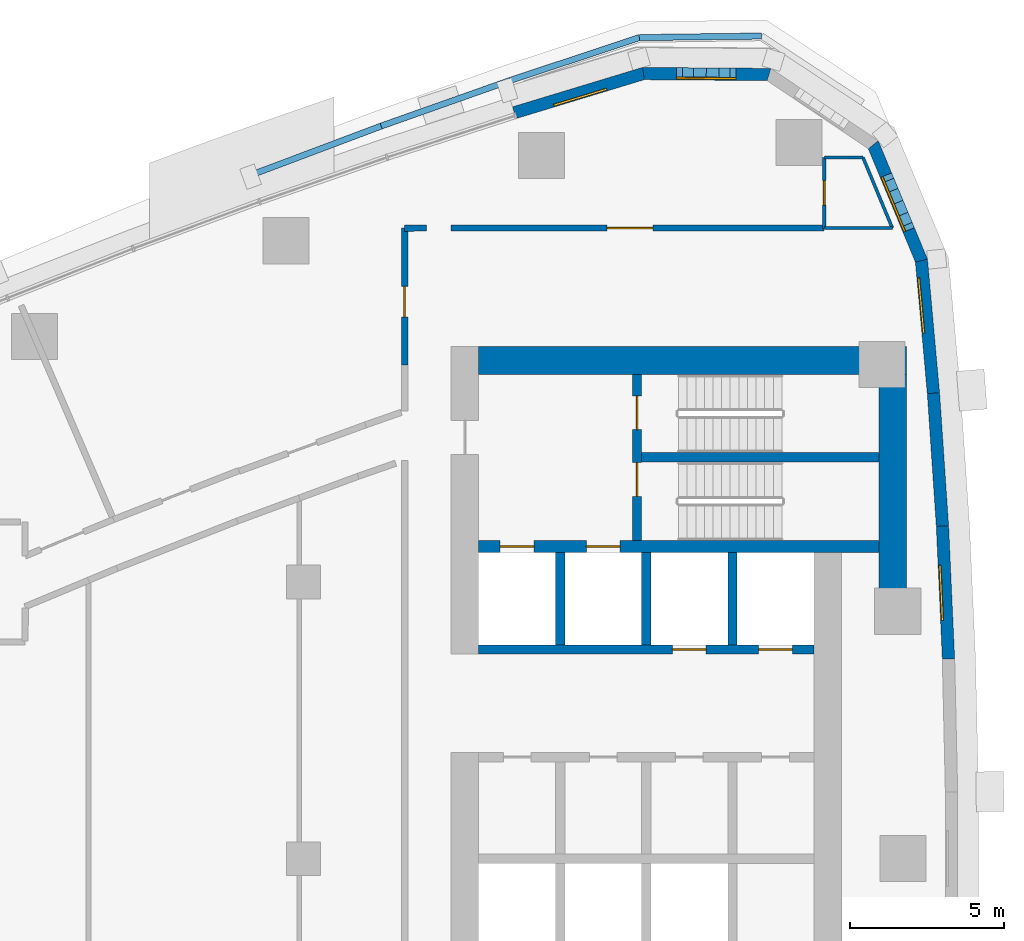
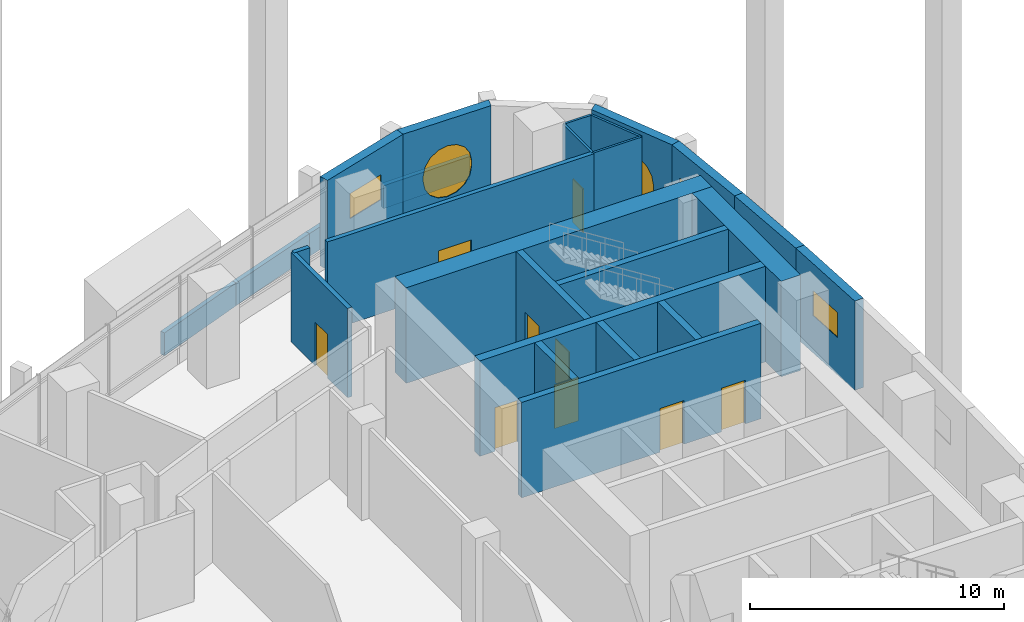
# One storey, part 11 of 17: 26 walls, 9 doors, 5 windows, 14 openings.
"""IFC4 building model written with IfcOpenShell, lengths in metres."""

from ifc_helpers import new_model, si_unit, direction, frame, frame_2d, origin, place, context, subcontext, project, spatial, polyline, rectangle, outline, extrude, material, layer, layer_set, type_object, element, fill, save


model = new_model("IFC4")

# Units and contexts
model_context = context("Model", 3, precision=1e-05, world=origin(), true_north=direction((0.0, 1.0)))
body_context = subcontext(model_context, "Body", "Model", "MODEL_VIEW")
ifc_project = project(units=[si_unit("LENGTHUNIT", "METRE"), si_unit("AREAUNIT", "SQUARE_METRE"), si_unit("VOLUMEUNIT", "CUBIC_METRE"), si_unit("PLANEANGLEUNIT", "RADIAN"), si_unit("MASSUNIT", "GRAM", prefix="KILO")], contexts=[model_context])

# Site, building, storey
site_placement = place(None, origin())
site = spatial("IfcSite", under=ifc_project, at=site_placement, CompositionType="ELEMENT")
building_placement = place(site_placement, origin())
building = spatial("IfcBuilding", under=site, at=building_placement, Name="Ostrand Prow Hotel Tower", CompositionType="ELEMENT")
storey_placement = place(building_placement, frame((0.0, 0.0, 125.60009765625)))
storey = spatial("IfcBuildingStorey", under=building, at=storey_placement, Name="L30", CompositionType="ELEMENT", Elevation=125.60009765625)

# Wall, openings, doors
ifc_material_1 = material(Name="Concrete C70/85", Category="concrete")
ifc_layer_1 = layer(ifc_material_1, 0.300048828125)
ifc_layer_set_1 = layer_set([ifc_layer_1], Name="Concrete C70/85")
wall_type_1 = type_object("IfcWallType", Name="Core wall 300 C70/85", PredefinedType="SHEAR", material=ifc_layer_set_1)
wall_1_placement = place(storey_placement, frame((50.699951171875, 6.800048828125, 0.0), z_axis=(0.0, 0.0, 1.0), x_axis=(1.0, 0.0, 0.0)))
wall_1 = element("IfcWall", 1, at=wall_1_placement, inside=storey, type_object=wall_type_1, Name="Core wall PW-L2-N", PredefinedType="SHEAR", context=body_context, shape_type="SweptSolid", body=[
    extrude(rectangle(XDim=10.900146484375, YDim=0.300048828125, at=frame_2d((5.4501953125, 0.0))), origin(), (0.0, 0.0, 1.0), 4.599853515625),
])
opening_1_placement = place(wall_1_placement, frame((6.300048828125, 0.0, 0.0)))
opening_1 = element("IfcOpeningElement", 2, at=opening_1_placement, cuts=wall_1, Name="Opening LD", PredefinedType="OPENING", context=body_context, shape_type="SweptSolid", body=[
    extrude(rectangle(XDim=1.10009765625, YDim=2.10009765625, at=frame_2d((0.550048828125, 1.050048828125))), frame((0.0, 0.159912109375, 0.0), z_axis=(0.0, -1.0, 0.0), x_axis=(1.0, 0.0, 0.0)), (0.0, 0.0, 1.0), 0.320068359375),
])
opening_2_placement = place(wall_1_placement, frame((9.10009765625, 0.0, 0.0)))
opening_2 = element("IfcOpeningElement", 3, at=opening_2_placement, cuts=wall_1, Name="Opening LD", PredefinedType="OPENING", context=body_context, shape_type="SweptSolid", body=[
    extrude(rectangle(XDim=1.10009765625, YDim=2.10009765625, at=frame_2d((0.550048828125, 1.050048828125))), frame((0.0, 0.159912109375, 0.0), z_axis=(0.0, -1.0, 0.0), x_axis=(1.0, 0.0, 0.0)), (0.0, 0.0, 1.0), 0.320068359375),
])
ifc_material_2 = material(Name="Stainless steel door", Category="steel")
door_type_1 = type_object("IfcDoorType", Name="Lift landing door 1100", OperationType="DOUBLE_DOOR_SLIDING", PredefinedType="DOOR", material=ifc_material_2)
door_1_placement = place(opening_1_placement, origin())
door_1 = element("IfcDoor", 4, at=door_1_placement, inside=storey, type_object=door_type_1, Name="LIFT LANDING DOOR", OperationType="DOUBLE_DOOR_SLIDING", OverallHeight=2.10009765625, OverallWidth=1.10009765625, PredefinedType="DOOR", context=body_context, shape_type="SweptSolid", body=[
    extrude(rectangle(XDim=1.10009765625, YDim=2.10009765625, at=frame_2d((0.550048828125, 1.050048828125))), frame((0.0, 0.02490234375, 0.0), z_axis=(0.0, -1.0, 0.0), x_axis=(1.0, 0.0, 0.0)), (0.0, 0.0, 1.0), 0.050048828125),
])
fill(opening_1, door_1)
door_2_placement = place(opening_2_placement, origin())
door_2 = element("IfcDoor", 5, at=door_2_placement, inside=storey, type_object=door_type_1, Name="LIFT LANDING DOOR", OperationType="DOUBLE_DOOR_SLIDING", OverallHeight=2.10009765625, OverallWidth=1.10009765625, PredefinedType="DOOR", context=body_context, shape_type="SweptSolid", body=[
    extrude(rectangle(XDim=1.10009765625, YDim=2.10009765625, at=frame_2d((0.550048828125, 1.050048828125))), frame((0.0, 0.02490234375, 0.0), z_axis=(0.0, -1.0, 0.0), x_axis=(1.0, 0.0, 0.0)), (0.0, 0.0, 1.0), 0.050048828125),
])
fill(opening_2, door_2)

# Walls
for number, where, z_axis, x_axis, name in (
    (6, (53.35009765625, 6.949951171875, 0.0), (0.0, 0.0, 1.0), (0.0, 1.0, 0.0), "Core wall PW-R1-NA"),
    (7, (56.14990234375, 6.949951171875, 0.0), (0.0, 0.0, 1.0), (0.0, 1.0, 0.0), "Core wall PW-R2-NA"),
    (8, (58.949951171875, 6.949951171875, 0.0), (0.0, 0.0, 1.0), (0.0, 1.0, 0.0), "Core wall PW-R3-NA"),
):
    element("IfcWall", number, at=place(storey_placement, frame(where, z_axis=z_axis, x_axis=x_axis)), inside=storey, type_object=wall_type_1, Name=name, PredefinedType="SHEAR", context=body_context, shape_type="SweptSolid", body=[
        extrude(rectangle(XDim=3.0, YDim=0.300048828125, at=frame_2d((1.5, 0.0))), origin(), (0.0, 0.0, 1.0), 4.599853515625),
    ])

# Wall, openings, doors
wall_2_placement = place(storey_placement, frame((55.85009765625, 10.35009765625, 0.0), z_axis=(0.0, 0.0, 1.0), x_axis=(0.0, 1.0, 0.0)))
wall_2 = element("IfcWall", 9, at=wall_2_placement, inside=storey, type_object=wall_type_1, Name="Core wall PW-VN", PredefinedType="SHEAR", context=body_context, shape_type="SweptSolid", body=[
    extrude(rectangle(XDim=5.39990234375, YDim=0.300048828125, at=frame_2d((2.699951171875, 0.0))), origin(), (0.0, 0.0, 1.0), 4.599853515625),
])
opening_3_placement = place(wall_2_placement, frame((1.429931640625, 0.0, 0.0)))
opening_3 = element("IfcOpeningElement", 10, at=opening_3_placement, cuts=wall_2, Name="Opening FD1", PredefinedType="OPENING", context=body_context, shape_type="SweptSolid", body=[
    extrude(rectangle(XDim=1.10009765625, YDim=2.10009765625, at=frame_2d((0.550048828125, 1.050048828125))), frame((0.0, 0.159912109375, 0.0), z_axis=(0.0, -1.0, 0.0), x_axis=(1.0, 0.0, 0.0)), (0.0, 0.0, 1.0), 0.320068359375),
])
opening_4_placement = place(wall_2_placement, frame((3.60009765625, 0.0, 0.0)))
opening_4 = element("IfcOpeningElement", 11, at=opening_4_placement, cuts=wall_2, Name="Opening FD1", PredefinedType="OPENING", context=body_context, shape_type="SweptSolid", body=[
    extrude(rectangle(XDim=1.10009765625, YDim=2.10009765625, at=frame_2d((0.550048828125, 1.050048828125))), frame((0.0, 0.159912109375, 0.0), z_axis=(0.0, -1.0, 0.0), x_axis=(1.0, 0.0, 0.0)), (0.0, 0.0, 1.0), 0.320068359375),
])
ifc_material_3 = material(Name="Steel fire door", Category="steel")
door_type_2 = type_object("IfcDoorType", Name="Fire door 1100 EI120", OperationType="SINGLE_SWING_RIGHT", PredefinedType="DOOR", material=ifc_material_3)
door_3_placement = place(opening_3_placement, origin())
door_3 = element("IfcDoor", 12, at=door_3_placement, inside=storey, type_object=door_type_2, Name="FIRE DOOR", OperationType="SINGLE_SWING_RIGHT", OverallHeight=2.10009765625, OverallWidth=1.10009765625, PredefinedType="DOOR", context=body_context, shape_type="SweptSolid", body=[
    extrude(rectangle(XDim=1.10009765625, YDim=2.10009765625, at=frame_2d((0.550048828125, 1.050048828125))), frame((0.0, 0.02490234375, 0.0), z_axis=(0.0, -1.0, 0.0), x_axis=(1.0, 0.0, 0.0)), (0.0, 0.0, 1.0), 0.050048828125),
])
fill(opening_3, door_3)
door_4_placement = place(opening_4_placement, origin())
door_4 = element("IfcDoor", 13, at=door_4_placement, inside=storey, type_object=door_type_2, Name="FIRE DOOR", OperationType="SINGLE_SWING_RIGHT", OverallHeight=2.10009765625, OverallWidth=1.10009765625, PredefinedType="DOOR", context=body_context, shape_type="SweptSolid", body=[
    extrude(rectangle(XDim=1.10009765625, YDim=2.10009765625, at=frame_2d((0.550048828125, 1.050048828125))), frame((0.0, 0.02490234375, 0.0), z_axis=(0.0, -1.0, 0.0), x_axis=(1.0, 0.0, 0.0)), (0.0, 0.0, 1.0), 0.050048828125),
])
fill(opening_4, door_4)

# Wall
wall_3_placement = place(storey_placement, frame((56.0, 13.050048828125, 0.0), z_axis=(0.0, 0.0, 1.0), x_axis=(1.0, 0.0, 0.0)))
element("IfcWall", 14, at=wall_3_placement, inside=storey, type_object=wall_type_1, Name="Core wall PW-ST13", PredefinedType="SHEAR", context=body_context, shape_type="SweptSolid", body=[
    extrude(rectangle(XDim=7.719970703125, YDim=0.300048828125, at=frame_2d((3.85986328125, 0.0))), origin(), (0.0, 0.0, 1.0), 4.599853515625),
])

# Wall, openings, doors
ifc_material_4 = material(Name="Concrete C70/85", Category="concrete")
ifc_layer_2 = layer(ifc_material_4, 0.39990234375)
ifc_layer_set_2 = layer_set([ifc_layer_2], Name="Concrete C70/85")
wall_type_2 = type_object("IfcWallType", Name="Core wall 400 C70/85", PredefinedType="SHEAR", material=ifc_layer_set_2)
wall_4_placement = place(storey_placement, frame((50.699951171875, 10.14990234375, 0.0), z_axis=(0.0, 0.0, 1.0), x_axis=(1.0, 0.0, 0.0)))
wall_4 = element("IfcWall", 15, at=wall_4_placement, inside=storey, type_object=wall_type_2, Name="Core wall PW-BN", PredefinedType="SHEAR", context=body_context, shape_type="SweptSolid", body=[
    extrude(rectangle(XDim=13.02001953125, YDim=0.39990234375, at=frame_2d((6.510009765625, 0.0))), origin(), (0.0, 0.0, 1.0), 4.599853515625),
])
opening_5_placement = place(wall_4_placement, frame((0.699951171875, 0.0, 0.0)))
opening_5 = element("IfcOpeningElement", 16, at=opening_5_placement, cuts=wall_4, Name="Opening LD", PredefinedType="OPENING", context=body_context, shape_type="SweptSolid", body=[
    extrude(rectangle(XDim=1.10009765625, YDim=2.10009765625, at=frame_2d((0.550048828125, 1.050048828125))), frame((0.0, 0.2099609375, 0.0), z_axis=(0.0, -1.0, 0.0), x_axis=(1.0, 0.0, 0.0)), (0.0, 0.0, 1.0), 0.419921875),
])
opening_6_placement = place(wall_4_placement, frame((3.5, 0.0, 0.0)))
opening_6 = element("IfcOpeningElement", 17, at=opening_6_placement, cuts=wall_4, Name="Opening LD", PredefinedType="OPENING", context=body_context, shape_type="SweptSolid", body=[
    extrude(rectangle(XDim=1.10009765625, YDim=2.10009765625, at=frame_2d((0.550048828125, 1.050048828125))), frame((0.0, 0.2099609375, 0.0), z_axis=(0.0, -1.0, 0.0), x_axis=(1.0, 0.0, 0.0)), (0.0, 0.0, 1.0), 0.419921875),
])
door_5_placement = place(opening_5_placement, origin())
door_5 = element("IfcDoor", 18, at=door_5_placement, inside=storey, type_object=door_type_1, Name="LIFT LANDING DOOR", OperationType="DOUBLE_DOOR_SLIDING", OverallHeight=2.10009765625, OverallWidth=1.10009765625, PredefinedType="DOOR", context=body_context, shape_type="SweptSolid", body=[
    extrude(rectangle(XDim=1.10009765625, YDim=2.10009765625, at=frame_2d((0.550048828125, 1.050048828125))), frame((0.0, 0.02490234375, 0.0), z_axis=(0.0, -1.0, 0.0), x_axis=(1.0, 0.0, 0.0)), (0.0, 0.0, 1.0), 0.050048828125),
])
fill(opening_5, door_5)
door_6_placement = place(opening_6_placement, origin())
door_6 = element("IfcDoor", 19, at=door_6_placement, inside=storey, type_object=door_type_1, Name="LIFT LANDING DOOR", OperationType="DOUBLE_DOOR_SLIDING", OverallHeight=2.10009765625, OverallWidth=1.10009765625, PredefinedType="DOOR", context=body_context, shape_type="SweptSolid", body=[
    extrude(rectangle(XDim=1.10009765625, YDim=2.10009765625, at=frame_2d((0.550048828125, 1.050048828125))), frame((0.0, 0.02490234375, 0.0), z_axis=(0.0, -1.0, 0.0), x_axis=(1.0, 0.0, 0.0)), (0.0, 0.0, 1.0), 0.050048828125),
])
fill(opening_6, door_6)

# Walls
ifc_material_5 = material(Name="Concrete C70/85", Category="concrete")
ifc_layer_3 = layer(ifc_material_5, 0.89990234375)
ifc_layer_set_3 = layer_set([ifc_layer_3], Name="Concrete C70/85")
wall_type_3 = type_object("IfcWallType", Name="Core wall 900 C70/85", PredefinedType="SHEAR", material=ifc_layer_set_3)
wall_5_placement = place(storey_placement, frame((50.699951171875, 16.199951171875, 0.0), z_axis=(0.0, 0.0, 1.0), x_axis=(1.0, 0.0, 0.0)))
element("IfcWall", 20, at=wall_5_placement, inside=storey, type_object=wall_type_3, Name="Core wall CW-N", PredefinedType="SHEAR", context=body_context, shape_type="SweptSolid", body=[
    extrude(rectangle(XDim=13.920166015625, YDim=0.89990234375, at=frame_2d((6.9599609375, 0.0))), origin(), (0.0, 0.0, 1.0), 4.599853515625),
])
wall_6_placement = place(storey_placement, frame((64.169921875, 8.74462890625, 0.0), z_axis=(0.0, 0.0, 1.0), x_axis=(0.0, 1.0, 0.0)))
element("IfcWall", 21, at=wall_6_placement, inside=storey, type_object=wall_type_3, Name="Core wall CW-E-N", PredefinedType="SHEAR", context=body_context, shape_type="SweptSolid", body=[
    extrude(rectangle(XDim=7.00537109375, YDim=0.89990234375, at=frame_2d((3.502685546875, 0.0))), origin(), (0.0, 0.0, 1.0), 4.599853515625),
])

# Wall, opening, door
ifc_material_6 = material(Name="Plasterboard partition")
ifc_layer_4 = layer(ifc_material_6, 0.10009765625)
ifc_layer_set_4 = layer_set([ifc_layer_4], Name="Plasterboard partition")
wall_type_4 = type_object("IfcWallType", Name="Partition 100 bathroom wall", PredefinedType="PARTITIONING", material=ifc_layer_set_4)
wall_7_placement = place(storey_placement, frame((61.9375, 20.5, 0.0), z_axis=(0.0, 0.0, 1.0), x_axis=(0.0, 1.0, 0.0)))
wall_7 = element("IfcWall", 22, at=wall_7_placement, inside=storey, type_object=wall_type_4, Name="BATHROOM WALL", PredefinedType="PARTITIONING", context=body_context, shape_type="SweptSolid", body=[
    extrude(rectangle(XDim=2.300048828125, YDim=0.10009765625, at=frame_2d((1.14990234375, 0.0))), origin(), (0.0, 0.0, 1.0), 4.2998046875),
])
opening_7_placement = place(wall_7_placement, frame((0.75, 0.0, 0.0)))
opening_7 = element("IfcOpeningElement", 23, at=opening_7_placement, cuts=wall_7, Name="Opening D2", PredefinedType="OPENING", context=body_context, shape_type="SweptSolid", body=[
    extrude(rectangle(XDim=0.800048828125, YDim=2.10009765625, at=frame_2d((0.39990234375, 1.050048828125))), frame((0.0, 0.06005859375, 0.0), z_axis=(0.0, -1.0, 0.0), x_axis=(1.0, 0.0, 0.0)), (0.0, 0.0, 1.0), 0.1201171875),
])
ifc_material_7 = material(Name="Timber door leaf", Category="wood")
door_type_3 = type_object("IfcDoorType", Name="Bathroom door 800", OperationType="SINGLE_SWING_LEFT", PredefinedType="DOOR", material=ifc_material_7)
door_7_placement = place(opening_7_placement, origin())
door_7 = element("IfcDoor", 24, at=door_7_placement, inside=storey, type_object=door_type_3, Name="DOOR", OperationType="SINGLE_SWING_LEFT", OverallHeight=2.10009765625, OverallWidth=0.800048828125, PredefinedType="DOOR", context=body_context, shape_type="SweptSolid", body=[
    extrude(rectangle(XDim=0.800048828125, YDim=2.10009765625, at=frame_2d((0.39990234375, 1.050048828125))), frame((0.0, 0.02490234375, 0.0), z_axis=(0.0, -1.0, 0.0), x_axis=(1.0, 0.0, 0.0)), (0.0, 0.0, 1.0), 0.050048828125),
])
fill(opening_7, door_7)

# Walls
wall_8_placement = place(storey_placement, frame((61.9375, 22.800048828125, 0.0), z_axis=(0.0, 0.0, 1.0), x_axis=(1.0, 0.0, 0.0)))
element("IfcWall", 25, at=wall_8_placement, inside=storey, type_object=wall_type_4, Name="BATHROOM WALL", PredefinedType="PARTITIONING", context=body_context, shape_type="SweptSolid", body=[
    extrude(rectangle(XDim=1.2607421875, YDim=0.10009765625, at=frame_2d((0.63037109375, 0.0))), origin(), (0.0, 0.0, 1.0), 4.2998046875),
])
wall_9_placement = place(storey_placement, frame((63.1982421875, 22.800048828125, 0.0), z_axis=(0.0, 0.0, 1.0), x_axis=(0.383855043906, -0.923393364319, 0.0)))
element("IfcWall", 26, at=wall_9_placement, inside=storey, type_object=wall_type_4, Name="BATHROOM WALL", PredefinedType="PARTITIONING", context=body_context, shape_type="SweptSolid", body=[
    extrude(rectangle(XDim=2.485595703125, YDim=0.10009765625, at=frame_2d((1.24267578125, 0.0))), origin(), (0.0, 0.0, 1.0), 4.2998046875),
])
wall_10_placement = place(storey_placement, frame((64.15234375, 20.5048828125, 0.0), z_axis=(0.0, 0.0, 1.0), x_axis=(-1.0, 0.0, 0.0)))
element("IfcWall", 27, at=wall_10_placement, inside=storey, type_object=wall_type_4, Name="BATHROOM WALL", PredefinedType="PARTITIONING", context=body_context, shape_type="SweptSolid", body=[
    extrude(rectangle(XDim=2.21484375, YDim=0.10009765625, at=frame_2d((1.107421875, 0.0))), origin(), (0.0, 0.0, 1.0), 4.2998046875),
])

# Wall, opening, door
ifc_material_8 = material(Name="Plasterboard partition")
ifc_layer_5 = layer(ifc_material_8, 0.199951171875)
ifc_layer_set_5 = layer_set([ifc_layer_5], Name="Plasterboard partition")
wall_type_5 = type_object("IfcWallType", Name="Partition 200 corridor wall", PredefinedType="PARTITIONING", material=ifc_layer_set_5)
wall_11_placement = place(storey_placement, frame((61.9326171875, 20.5048828125, 0.0), z_axis=(0.0, 0.0, 1.0), x_axis=(-1.0, 0.0, 0.0)))
wall_11 = element("IfcWall", 28, at=wall_11_placement, inside=storey, type_object=wall_type_5, Name="CORRIDOR WALL", PredefinedType="PARTITIONING", context=body_context, shape_type="SweptSolid", body=[
    extrude(rectangle(XDim=12.132568359375, YDim=0.199951171875, at=frame_2d((6.06640625, 0.0))), origin(), (0.0, 0.0, 1.0), 4.2998046875),
])
opening_8_placement = place(wall_11_placement, frame((5.56640625, 0.0, 0.0)))
opening_8 = element("IfcOpeningElement", 29, at=opening_8_placement, cuts=wall_11, Name="Opening D15", PredefinedType="OPENING", context=body_context, shape_type="SweptSolid", body=[
    extrude(rectangle(XDim=1.5, YDim=2.10009765625, at=frame_2d((0.75, 1.050048828125))), frame((0.0, 0.10986328125, 0.0), z_axis=(0.0, -1.0, 0.0), x_axis=(1.0, 0.0, 0.0)), (0.0, 0.0, 1.0), 0.219970703125),
])
ifc_material_9 = material(Name="Timber door leaf", Category="wood")
door_type_4 = type_object("IfcDoorType", Name="Double door 1500", OperationType="DOUBLE_DOOR_SINGLE_SWING", PredefinedType="DOOR", material=ifc_material_9)
door_8_placement = place(opening_8_placement, origin())
door_8 = element("IfcDoor", 30, at=door_8_placement, inside=storey, type_object=door_type_4, Name="DOOR", OperationType="DOUBLE_DOOR_SINGLE_SWING", OverallHeight=2.10009765625, OverallWidth=1.5, PredefinedType="DOOR", context=body_context, shape_type="SweptSolid", body=[
    extrude(rectangle(XDim=1.5, YDim=2.10009765625, at=frame_2d((0.75, 1.050048828125))), frame((0.0, 0.02490234375, 0.0), z_axis=(0.0, -1.0, 0.0), x_axis=(1.0, 0.0, 0.0)), (0.0, 0.0, 1.0), 0.050048828125),
])
fill(opening_8, door_8)

wall_12_placement = place(storey_placement, frame((48.294921875, 20.50048828125, 0.0), z_axis=(0.0, 0.0, 1.0), x_axis=(0.0, -1.0, 0.0)))
wall_12 = element("IfcWall", 31, at=wall_12_placement, inside=storey, type_object=wall_type_5, Name="CORRIDOR WALL", PredefinedType="PARTITIONING", context=body_context, shape_type="SweptSolid", body=[
    extrude(rectangle(XDim=4.45068359375, YDim=0.199951171875, at=frame_2d((2.225341796875, 0.0))), origin(), (0.0, 0.0, 1.0), 4.2998046875),
])
opening_9_placement = place(wall_12_placement, frame((1.887939453125, 0.0, 0.0)))
opening_9 = element("IfcOpeningElement", 32, at=opening_9_placement, cuts=wall_12, Name="Opening D1R", PredefinedType="OPENING", context=body_context, shape_type="SweptSolid", body=[
    extrude(rectangle(XDim=1.0, YDim=2.10009765625, at=frame_2d((0.5, 1.050048828125))), frame((0.0, 0.10986328125, 0.0), z_axis=(0.0, -1.0, 0.0), x_axis=(1.0, 0.0, 0.0)), (0.0, 0.0, 1.0), 0.219970703125),
])
ifc_material_10 = material(Name="Timber door leaf", Category="wood")
door_type_5 = type_object("IfcDoorType", Name="Guest room door 1000 right", OperationType="SINGLE_SWING_RIGHT", PredefinedType="DOOR", material=ifc_material_10)
door_9_placement = place(opening_9_placement, origin())
door_9 = element("IfcDoor", 33, at=door_9_placement, inside=storey, type_object=door_type_5, Name="DOOR", OperationType="SINGLE_SWING_RIGHT", OverallHeight=2.10009765625, OverallWidth=1.0, PredefinedType="DOOR", context=body_context, shape_type="SweptSolid", body=[
    extrude(rectangle(XDim=1.0, YDim=2.10009765625, at=frame_2d((0.5, 1.050048828125))), frame((0.0, 0.02490234375, 0.0), z_axis=(0.0, -1.0, 0.0), x_axis=(1.0, 0.0, 0.0)), (0.0, 0.0, 1.0), 0.050048828125),
])
fill(opening_9, door_9)

# Walls
wall_13_placement = place(storey_placement, frame((49.010009765625, 20.5048828125, 0.0), z_axis=(0.0, 0.0, 1.0), x_axis=(-0.999981117305, -0.006145326088, 0.0)))
element("IfcWall", 34, at=wall_13_placement, inside=storey, type_object=wall_type_5, Name="CORRIDOR WALL", PredefinedType="PARTITIONING", context=body_context, shape_type="SweptSolid", body=[
    extrude(rectangle(XDim=0.715087890625, YDim=0.199951171875, at=frame_2d((0.357421875, 0.0))), origin(), (0.0, 0.0, 1.0), 4.2998046875),
])
ifc_material_11 = material(Name="Precast concrete C40/50", Category="concrete")
ifc_layer_6 = layer(ifc_material_11, 0.199951171875)
ifc_layer_set_6 = layer_set([ifc_layer_6], Name="Precast concrete C40/50")
wall_type_6 = type_object("IfcWallType", Name="Roof parapet 200 mm precast concrete", PredefinedType="PARAPET", material=ifc_layer_set_6)
wall_14_placement = place(storey_placement, frame((59.9033203125, 26.749755859375, 0.0), z_axis=(0.0, 0.0, 1.0), x_axis=(-0.999920031891, -0.012646336356, 0.0)))
element("IfcWall", 35, at=wall_14_placement, inside=storey, type_object=wall_type_6, Name="Roof parapet LPR0 2.16", PredefinedType="PARAPET", context=body_context, shape_type="SweptSolid", body=[
    extrude(rectangle(XDim=3.976806640625, YDim=0.199951171875, at=frame_2d((1.98828125, 0.0))), origin(), (0.0, 0.0, 1.0), 1.099853515625),
])
wall_15_placement = place(storey_placement, frame((55.9267578125, 26.699462890625, 0.0), z_axis=(0.0, 0.0, 1.0), x_axis=(-0.949239872228, -0.314553119476, 0.0)))
element("IfcWall", 36, at=wall_15_placement, inside=storey, type_object=wall_type_6, Name="Roof parapet LPR0 2.17", PredefinedType="PARAPET", context=body_context, shape_type="SweptSolid", body=[
    extrude(rectangle(XDim=4.418701171875, YDim=0.199951171875, at=frame_2d((2.20947265625, 0.0))), origin(), (0.0, 0.0, 1.0), 1.099853515625),
])
for number, where, z_axis, x_axis, name in (
    (37, (51.732421875, 25.3095703125, 0.0), (0.0, 0.0, 1.0), (-0.942764657465, -0.333458843991, 0.0), "Roof parapet LPR0 2.18"),
    (38, (47.529541015625, 23.822998046875, 0.0), (0.0, 0.0, 1.0), (-0.935866998846, -0.352353459569, 0.0), "Roof parapet LPR0 2.19"),
):
    element("IfcWall", number, at=place(storey_placement, frame(where, z_axis=z_axis, x_axis=x_axis)), inside=storey, type_object=wall_type_6, Name=name, PredefinedType="PARAPET", context=body_context, shape_type="SweptSolid", body=[
        extrude(rectangle(XDim=4.4580078125, YDim=0.199951171875, at=frame_2d((2.22900390625, 0.0))), origin(), (0.0, 0.0, 1.0), 1.099853515625),
    ])

# Wall, opening, window
ifc_material_12 = material(Name="Precast concrete C40/50", Category="concrete")
ifc_layer_7 = layer(ifc_material_12, 0.39990234375)
ifc_layer_set_7 = layer_set([ifc_layer_7], Name="Precast concrete C40/50")
wall_type_7 = type_object("IfcWallType", Name="Stone-faced precast wall 400 mm", PredefinedType="NOTDEFINED", material=ifc_layer_set_7)
wall_16_placement = place(storey_placement, frame((65.977783203125, 6.4921875, 0.0), z_axis=(0.0, 0.0, 1.0), x_axis=(-0.045228592312, 0.99897666361, 0.0)))
wall_16 = element("IfcWall", 39, at=wall_16_placement, inside=storey, type_object=wall_type_7, Name="Stone-faced wall back 11", PredefinedType="NOTDEFINED", context=body_context, shape_type="SweptSolid", body=[
    extrude(outline(polyline([(-0.002197265625, -0.199951171875), (4.331298828125, -0.199951171875), (4.326904296875, 0.199951171875), (0.002197265625, 0.199951171875), (-0.002197265625, -0.199951171875)])), origin(), (0.0, 0.0, 1.0), 4.2998046875),
])
opening_10_placement = place(wall_16_placement, frame((1.264404296875, 0.0, 1.800048828125)))
opening_10 = element("IfcOpeningElement", 40, at=opening_10_placement, cuts=wall_16, Name="Opening WC1", PredefinedType="OPENING", context=body_context, shape_type="SweptSolid", body=[
    extrude(rectangle(XDim=1.800048828125, YDim=1.199951171875, at=frame_2d((0.89990234375, 0.60009765625))), frame((0.0, 0.2099609375, 0.0), z_axis=(0.0, -1.0, 0.0), x_axis=(1.0, 0.0, 0.0)), (0.0, 0.0, 1.0), 0.419921875),
])
ifc_material_13 = material(Name="Insulated glass in bronze frame", Category="glass")
window_type_1 = type_object("IfcWindowType", Name="Sky lobby clerestory window 1800x1200", PartitioningType="SINGLE_PANEL", PredefinedType="WINDOW", material=ifc_material_13)
window_1_placement = place(opening_10_placement, origin())
window_1 = element("IfcWindow", 41, at=window_1_placement, inside=storey, type_object=window_type_1, Name="Window back 11.1", OverallHeight=1.199951171875, OverallWidth=1.800048828125, PartitioningType="SINGLE_PANEL", PredefinedType="WINDOW", context=body_context, shape_type="SweptSolid", body=[
    extrude(rectangle(XDim=1.800048828125, YDim=1.199951171875, at=frame_2d((0.89990234375, 0.60009765625))), frame((0.0, 0.169921875, 0.0), z_axis=(0.0, -1.0, 0.0), x_axis=(1.0, 0.0, 0.0)), (0.0, 0.0, 1.0), 0.06005859375),
])
fill(opening_10, window_1)

# Wall
wall_17_placement = place(storey_placement, frame((65.781982421875, 10.81689453125, 0.0), z_axis=(0.0, 0.0, 1.0), x_axis=(-0.067731727279, 0.997703569764, 0.0)))
element("IfcWall", 42, at=wall_17_placement, inside=storey, type_object=wall_type_7, Name="Stone-faced wall back 12", PredefinedType="NOTDEFINED", context=body_context, shape_type="SweptSolid", body=[
    extrude(outline(polyline([(-0.002197265625, -0.199951171875), (4.331298828125, -0.199951171875), (4.326904296875, 0.199951171875), (0.002197265625, 0.199951171875), (-0.002197265625, -0.199951171875)])), origin(), (0.0, 0.0, 1.0), 4.2998046875),
])

# Wall, opening, window
wall_18_placement = place(storey_placement, frame((65.48876953125, 15.135986328125, 0.0), z_axis=(0.0, 0.0, 1.0), x_axis=(-0.090296735989, 0.995914905737, 0.0)))
wall_18 = element("IfcWall", 43, at=wall_18_placement, inside=storey, type_object=wall_type_7, Name="Stone-faced wall back 13", PredefinedType="NOTDEFINED", context=body_context, shape_type="SweptSolid", body=[
    extrude(outline(polyline([(-0.002197265625, -0.199951171875), (4.359130859375, -0.199951171875), (4.298095703125, 0.199951171875), (0.002197265625, 0.199951171875), (-0.002197265625, -0.199951171875)])), origin(), (0.0, 0.0, 1.0), 4.2998046875),
])
opening_11_placement = place(wall_18_placement, frame((1.98583984375, 0.0, 1.800048828125)))
opening_11 = element("IfcOpeningElement", 44, at=opening_11_placement, cuts=wall_18, Name="Opening WC1", PredefinedType="OPENING", context=body_context, shape_type="SweptSolid", body=[
    extrude(rectangle(XDim=1.800048828125, YDim=1.199951171875, at=frame_2d((0.89990234375, 0.60009765625))), frame((0.0, 0.2099609375, 0.0), z_axis=(0.0, -1.0, 0.0), x_axis=(1.0, 0.0, 0.0)), (0.0, 0.0, 1.0), 0.419921875),
])
window_2_placement = place(opening_11_placement, origin())
window_2 = element("IfcWindow", 45, at=window_2_placement, inside=storey, type_object=window_type_1, Name="Window back 13.1", OverallHeight=1.199951171875, OverallWidth=1.800048828125, PartitioningType="SINGLE_PANEL", PredefinedType="WINDOW", context=body_context, shape_type="SweptSolid", body=[
    extrude(rectangle(XDim=1.800048828125, YDim=1.199951171875, at=frame_2d((0.89990234375, 0.60009765625))), frame((0.0, 0.169921875, 0.0), z_axis=(0.0, -1.0, 0.0), x_axis=(1.0, 0.0, 0.0)), (0.0, 0.0, 1.0), 0.06005859375),
])
fill(opening_11, window_2)

wall_19_placement = place(storey_placement, frame((65.097900390625, 19.447021484375, 0.0), z_axis=(0.0, 0.0, 1.0), x_axis=(-0.383817293519, 0.923409056267, 0.0)))
wall_19 = element("IfcWall", 46, at=wall_19_placement, inside=storey, type_object=wall_type_7, Name="Stone-faced wall back 14", PredefinedType="NOTDEFINED", context=body_context, shape_type="SweptSolid", body=[
    extrude(outline(polyline([(-0.030517578125, -0.199951171875), (4.14453125, -0.199951171875), (4.02392578125, 0.199951171875), (0.030517578125, 0.199951171875), (-0.030517578125, -0.199951171875)])), origin(), (0.0, 0.0, 1.0), 4.2998046875),
])
opening_12_placement = place(wall_19_placement, frame((0.94189453125, 0.0, 0.60009765625)))
opening_12 = element("IfcOpeningElement", 47, at=opening_12_placement, cuts=wall_19, Name="Opening WP2", PredefinedType="OPENING", context=body_context, shape_type="SweptSolid", body=[
    extrude(outline(polyline([(0.0, 1.35009765625), (0.083740234375, 1.77099609375), (0.322265625, 2.127685546875), (0.678955078125, 2.3662109375), (1.10009765625, 2.449951171875), (1.52099609375, 2.3662109375), (1.877685546875, 2.127685546875), (2.1162109375, 1.77099609375), (2.199951171875, 1.35009765625), (2.199951171875, 1.10009765625), (2.1162109375, 0.678955078125), (1.877685546875, 0.322265625), (1.52099609375, 0.083740234375), (1.10009765625, 0.0), (0.678955078125, 0.083740234375), (0.322265625, 0.322265625), (0.083740234375, 0.678955078125), (0.0, 1.099853515625), (0.0, 1.35009765625)])), frame((0.0, 0.2099609375, 0.0), z_axis=(0.0, -1.0, 0.0), x_axis=(1.0, 0.0, 0.0)), (0.0, 0.0, 1.0), 0.419921875),
])
ifc_material_14 = material(Name="Insulated glass in bronze frame", Category="glass")
window_type_2 = type_object("IfcWindowType", Name="Round-ended prow lounge window 2200x2450", PartitioningType="SINGLE_PANEL", PredefinedType="WINDOW", material=ifc_material_14)
window_3_placement = place(opening_12_placement, origin())
window_3 = element("IfcWindow", 48, at=window_3_placement, inside=storey, type_object=window_type_2, Name="Window back 14.1", OverallHeight=2.449951171875, OverallWidth=2.199951171875, PartitioningType="SINGLE_PANEL", PredefinedType="WINDOW", context=body_context, shape_type="SweptSolid", body=[
    extrude(outline(polyline([(0.0, 1.35009765625), (0.083740234375, 1.77099609375), (0.322265625, 2.127685546875), (0.678955078125, 2.3662109375), (1.10009765625, 2.449951171875), (1.52099609375, 2.3662109375), (1.877685546875, 2.127685546875), (2.1162109375, 1.77099609375), (2.199951171875, 1.35009765625), (2.199951171875, 1.10009765625), (2.1162109375, 0.678955078125), (1.877685546875, 0.322265625), (1.52099609375, 0.083740234375), (1.10009765625, 0.0), (0.678955078125, 0.083740234375), (0.322265625, 0.322265625), (0.083740234375, 0.678955078125), (0.0, 1.099853515625), (0.0, 1.35009765625)])), frame((0.0, 0.169921875, 0.0), z_axis=(0.0, -1.0, 0.0), x_axis=(1.0, 0.0, 0.0)), (0.0, 0.0, 1.0), 0.06005859375),
])
fill(opening_12, window_3)

wall_20_placement = place(storey_placement, frame((60.14208984375, 25.49853515625, 0.0), z_axis=(0.0, 0.0, 1.0), x_axis=(-0.99996933771, 0.007830941131, 0.0)))
wall_20 = element("IfcWall", 49, at=wall_20_placement, inside=storey, type_object=wall_type_7, Name="Stone-faced wall back 16", PredefinedType="NOTDEFINED", context=body_context, shape_type="SweptSolid", body=[
    extrude(outline(polyline([(-0.060302734375, -0.199951171875), (4.11474609375, -0.199951171875), (4.0537109375, 0.199951171875), (0.060302734375, 0.199951171875), (-0.060302734375, -0.199951171875)])), origin(), (0.0, 0.0, 1.0), 4.2998046875),
])
opening_13_placement = place(wall_20_placement, frame((0.94189453125, 0.0, 0.60009765625)))
opening_13 = element("IfcOpeningElement", 50, at=opening_13_placement, cuts=wall_20, Name="Opening WP2", PredefinedType="OPENING", context=body_context, shape_type="SweptSolid", body=[
    extrude(outline(polyline([(0.0, 1.35009765625), (0.083740234375, 1.77099609375), (0.322265625, 2.127685546875), (0.678955078125, 2.3662109375), (1.10009765625, 2.449951171875), (1.52099609375, 2.3662109375), (1.877685546875, 2.127685546875), (2.1162109375, 1.77099609375), (2.199951171875, 1.35009765625), (2.199951171875, 1.10009765625), (2.1162109375, 0.678955078125), (1.877685546875, 0.322265625), (1.52099609375, 0.083740234375), (1.10009765625, 0.0), (0.678955078125, 0.083740234375), (0.322265625, 0.322265625), (0.083740234375, 0.678955078125), (0.0, 1.099853515625), (0.0, 1.35009765625)])), frame((0.0, 0.2099609375, 0.0), z_axis=(0.0, -1.0, 0.0), x_axis=(1.0, 0.0, 0.0)), (0.0, 0.0, 1.0), 0.419921875),
])
window_4_placement = place(opening_13_placement, origin())
window_4 = element("IfcWindow", 51, at=window_4_placement, inside=storey, type_object=window_type_2, Name="Window back 16.1", OverallHeight=2.449951171875, OverallWidth=2.199951171875, PartitioningType="SINGLE_PANEL", PredefinedType="WINDOW", context=body_context, shape_type="SweptSolid", body=[
    extrude(outline(polyline([(0.0, 1.35009765625), (0.083740234375, 1.77099609375), (0.322265625, 2.127685546875), (0.678955078125, 2.3662109375), (1.10009765625, 2.449951171875), (1.52099609375, 2.3662109375), (1.877685546875, 2.127685546875), (2.1162109375, 1.77099609375), (2.199951171875, 1.35009765625), (2.199951171875, 1.10009765625), (2.1162109375, 0.678955078125), (1.877685546875, 0.322265625), (1.52099609375, 0.083740234375), (1.10009765625, 0.0), (0.678955078125, 0.083740234375), (0.322265625, 0.322265625), (0.083740234375, 0.678955078125), (0.0, 1.099853515625), (0.0, 1.35009765625)])), frame((0.0, 0.169921875, 0.0), z_axis=(0.0, -1.0, 0.0), x_axis=(1.0, 0.0, 0.0)), (0.0, 0.0, 1.0), 0.06005859375),
])
fill(opening_13, window_4)

wall_21_placement = place(storey_placement, frame((56.05810546875, 25.530517578125, 0.0), z_axis=(0.0, 0.0, 1.0), x_axis=(-0.956964488344, -0.290205044837, 0.0)))
wall_21 = element("IfcWall", 52, at=wall_21_placement, inside=storey, type_object=wall_type_7, Name="Stone-faced wall back 17", PredefinedType="NOTDEFINED", context=body_context, shape_type="SweptSolid", body=[
    extrude(outline(polyline([(-0.030517578125, -0.199951171875), (4.387939453125, -0.199951171875), (4.387939453125, 0.199951171875), (0.030517578125, 0.199951171875), (-0.030517578125, -0.199951171875)])), origin(), (0.0, 0.0, 1.0), 4.2998046875),
])
opening_14_placement = place(wall_21_placement, frame((1.2939453125, 0.0, 1.800048828125)))
opening_14 = element("IfcOpeningElement", 53, at=opening_14_placement, cuts=wall_21, Name="Opening WC1", PredefinedType="OPENING", context=body_context, shape_type="SweptSolid", body=[
    extrude(rectangle(XDim=1.800048828125, YDim=1.199951171875, at=frame_2d((0.89990234375, 0.60009765625))), frame((0.0, 0.2099609375, 0.0), z_axis=(0.0, -1.0, 0.0), x_axis=(1.0, 0.0, 0.0)), (0.0, 0.0, 1.0), 0.419921875),
])
window_5_placement = place(opening_14_placement, origin())
window_5 = element("IfcWindow", 54, at=window_5_placement, inside=storey, type_object=window_type_1, Name="Window back 17.1", OverallHeight=1.199951171875, OverallWidth=1.800048828125, PartitioningType="SINGLE_PANEL", PredefinedType="WINDOW", context=body_context, shape_type="SweptSolid", body=[
    extrude(rectangle(XDim=1.800048828125, YDim=1.199951171875, at=frame_2d((0.89990234375, 0.60009765625))), frame((0.0, 0.169921875, 0.0), z_axis=(0.0, -1.0, 0.0), x_axis=(1.0, 0.0, 0.0)), (0.0, 0.0, 1.0), 0.06005859375),
])
fill(opening_14, window_5)

save(model, "model.ifc")
